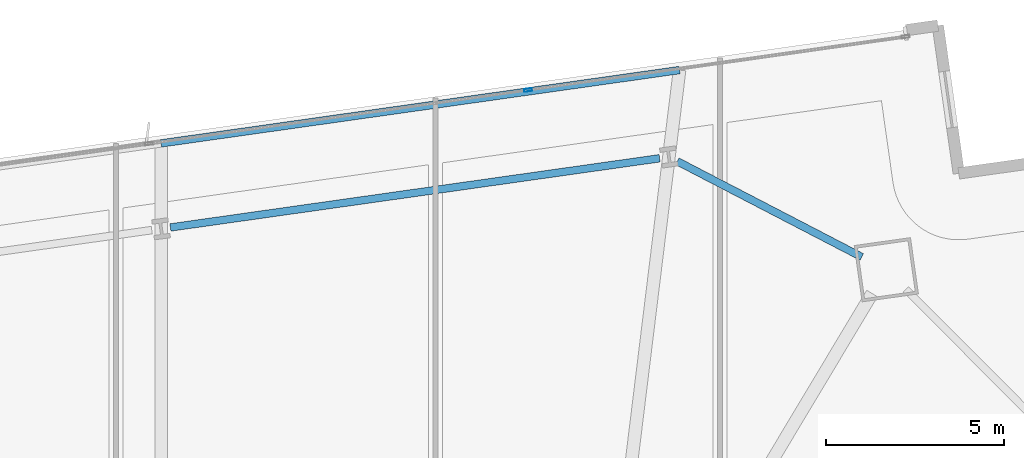
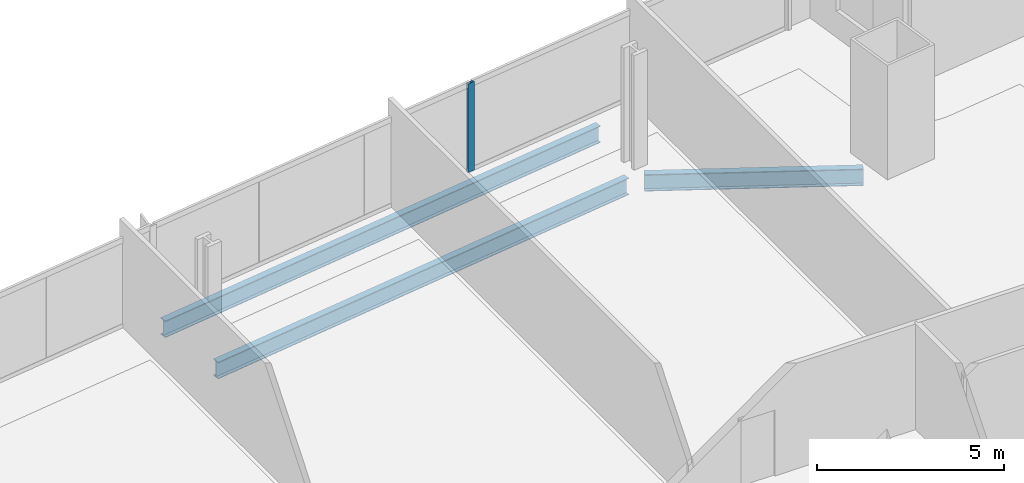
# One storey, part 22 of 33: 3 beams, 1 member, 1 element without a shape of its own.
"""IFC4 building model written with IfcOpenShell, lengths in metres."""

from ifc_helpers import new_model, si_unit, direction, frame, origin, origin_2d, place, context, subcontext, project, spatial, hollow_rectangle, i_section, extrude, material, material_profile, profile_set, type_object, element, aggregate, save


model = new_model("IFC4")

# Units and contexts
model_context = context("Model", 3, precision=1e-05, world=origin(), true_north=direction((0.0, 1.0)))
body_context = subcontext(model_context, "Body", "Model", "MODEL_VIEW")
ifc_project = project(units=[si_unit("LENGTHUNIT", "METRE"), si_unit("AREAUNIT", "SQUARE_METRE"), si_unit("VOLUMEUNIT", "CUBIC_METRE"), si_unit("PLANEANGLEUNIT", "RADIAN"), si_unit("MASSUNIT", "GRAM", prefix="KILO")], contexts=[model_context])

# Site, building, storey
site_placement = place(None, origin())
site = spatial("IfcSite", under=ifc_project, at=site_placement, CompositionType="ELEMENT")
building_placement = place(site_placement, origin())
building = spatial("IfcBuilding", under=site, at=building_placement, Name="Haldenkirk Collegiate Tower", CompositionType="ELEMENT")
storey_placement = place(building_placement, frame((0.0, 0.0, 55.199951171875)))
storey = spatial("IfcBuildingStorey", under=building, at=storey_placement, Name="L12", CompositionType="ELEMENT", Elevation=55.199951171875)

# Beams
ifc_material_1 = material(Name="Steel ASTM A992 Grade 50", Category="steel")
ifc_material_profile_1 = material_profile(ifc_material_1, i_section(OverallWidth=0.2119140625, OverallDepth=0.5439453125, WebThickness=0.01318359375, FlangeThickness=0.021240234375, at=origin_2d()), Name="W21X83")
ifc_profile_set_1 = profile_set([ifc_material_profile_1], Name="Steel ASTM A992 Grade 50")
beam_type = type_object("IfcBeamType", Name="BM-SPANDREL-W21X83", PredefinedType="SPANDREL", material=ifc_profile_set_1)
beam_1_placement = place(storey_placement, frame((52.4921875, 48.029296875, -0.58203125), z_axis=(-0.887648364794, 0.460521856678, 0.0), x_axis=(-0.460521856678, -0.887648364794, 0.0)))
element("IfcBeam", 1, at=beam_1_placement, inside=storey, type_object=beam_type, Name="L12 perimeter spandrel beam 09", PredefinedType="SPANDREL", context=body_context, shape_type="SweptSolid", body=[
    extrude(i_section(OverallWidth=0.2119140625, OverallDepth=0.5439453125, WebThickness=0.01318359375, FlangeThickness=0.021240234375, at=origin_2d()), origin(), (0.0, 0.0, 1.0), 5.848388671875),
])
beam_2_placement = place(storey_placement, frame((46.803955078125, 50.807373046875, -0.58203125), z_axis=(-0.990146197746, -0.14003752029, 0.0), x_axis=(0.14003752029, -0.990146197746, 0.0)))
element("IfcBeam", 2, at=beam_2_placement, inside=storey, type_object=beam_type, Name="L12 perimeter spandrel beam 10", PredefinedType="SPANDREL", context=body_context, shape_type="SweptSolid", body=[
    extrude(i_section(OverallWidth=0.2119140625, OverallDepth=0.5439453125, WebThickness=0.01318359375, FlangeThickness=0.021240234375, at=origin_2d()), origin(), (0.0, 0.0, 1.0), 13.906982421875),
])
beam_3_placement = place(storey_placement, frame((47.365966796875, 53.29052734375, -0.58203125), z_axis=(-0.990146631179, -0.140034455634, 0.0), x_axis=(0.140034455634, -0.990146631179, 0.0)))
element("IfcBeam", 3, at=beam_3_placement, inside=storey, type_object=beam_type, Name="L12 outer facade edge beam 3A", PredefinedType="SPANDREL", context=body_context, shape_type="SweptSolid", body=[
    extrude(i_section(OverallWidth=0.2119140625, OverallDepth=0.5439453125, WebThickness=0.01318359375, FlangeThickness=0.021240234375, at=origin_2d()), origin(), (0.0, 0.0, 1.0), 14.739013671875),
])

# Curtain wall, member
ifc_material_2 = material(Name="Anodised architectural bronze aluminium", Category="aluminium")
curtain_wall_type = type_object("IfcCurtainWallType", Name="CW-SYS1-CONVEX-LOW", PredefinedType="USERDEFINED", material=ifc_material_2)
curtain_wall_placement = place(storey_placement, origin())
curtain_wall = element("IfcCurtainWall", 4, at=curtain_wall_placement, inside=storey, type_object=curtain_wall_type, Name="L12 Lower tower convex bronze-framed unitised curtain wall", ObjectType="UNITISED CURTAIN WALL", PredefinedType="USERDEFINED")
ifc_material_profile_2 = material_profile(ifc_material_2, hollow_rectangle(XDim=0.080078125, YDim=0.219970703125, WallThickness=0.0048828125, at=origin_2d()), Name="CW-MUL-1A")
ifc_profile_set_2 = profile_set([ifc_material_profile_2], Name="Anodised architectural bronze aluminium")
member_type = type_object("IfcMemberType", Name="CW-MUL-1A", PredefinedType="MULLION", material=ifc_profile_set_2)
member_placement = place(storey_placement, frame((43.10205078125, 52.72802734375, 0.0), z_axis=(0.0, 0.0, 1.0), x_axis=(-0.140039409054, 0.990145930614, 0.0)))
member = element("IfcMember", 5, at=member_placement, type_object=member_type, Name="CW-1A mullion 4", PredefinedType="MULLION", context=body_context, shape_type="SweptSolid", body=[
    extrude(hollow_rectangle(XDim=0.080078125, YDim=0.219970703125, WallThickness=0.0048828125, at=origin_2d()), origin(), (0.0, 0.0, 1.0), 2.89111328125),
])
aggregate(curtain_wall, [member])

save(model, "model.ifc")
